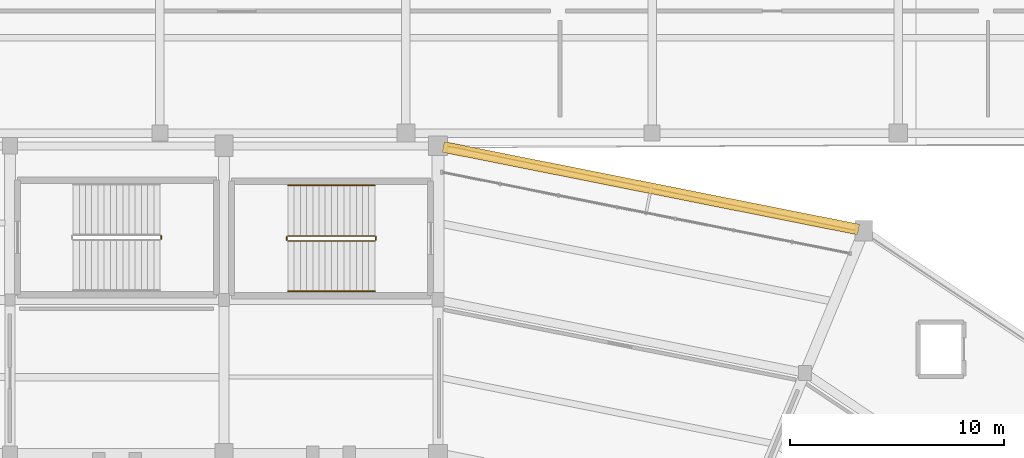
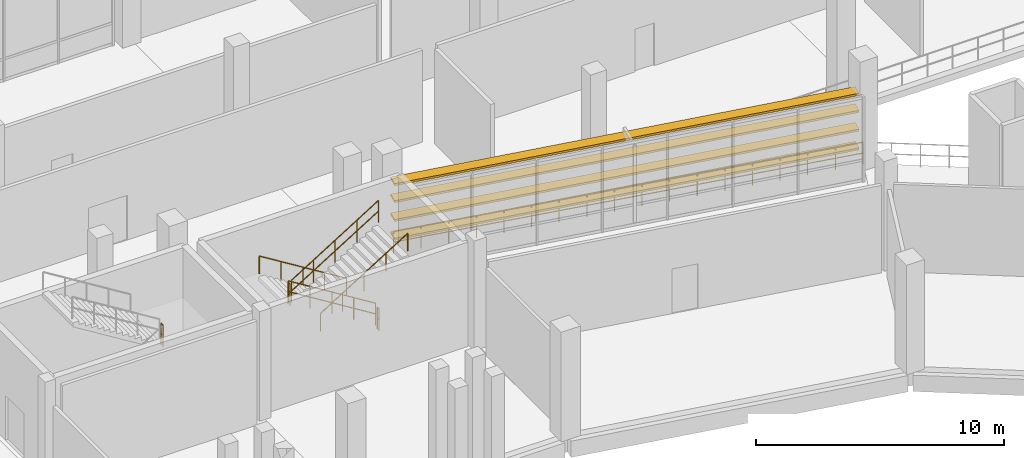
# One storey, part 113 of 114: 8 railings, 4 shading devices.
"""IFC4 building model written with IfcOpenShell, lengths in metres."""

from ifc_helpers import new_model, si_unit, direction, frame, origin, origin_2d, place, context, subcontext, project, spatial, rectangle, circle, extrude, material, layer, layer_set, type_object, element, save


model = new_model("IFC4")

# Units and contexts
model_context = context("Model", 3, precision=1e-05, world=origin(), true_north=direction((0.0, 1.0)))
body_context = subcontext(model_context, "Body", "Model", "MODEL_VIEW")
ifc_project = project(units=[si_unit("LENGTHUNIT", "METRE"), si_unit("AREAUNIT", "SQUARE_METRE"), si_unit("VOLUMEUNIT", "CUBIC_METRE"), si_unit("PLANEANGLEUNIT", "RADIAN"), si_unit("MASSUNIT", "GRAM", prefix="KILO")], contexts=[model_context])

# Site, building, storey
site_placement = place(None, origin())
site = spatial("IfcSite", under=ifc_project, at=site_placement, CompositionType="ELEMENT")
building_placement = place(site_placement, origin())
building = spatial("IfcBuilding", under=site, at=building_placement, Name="Candeia Ridge Stadium", CompositionType="ELEMENT")
storey_placement = place(building_placement, frame((0.0, 0.0, 5.39990234375)))
storey = spatial("IfcBuildingStorey", under=building, at=storey_placement, Name="L01", CompositionType="ELEMENT", Elevation=5.39990234375)

# Railings
ifc_material_1 = material(Name="Galvanized Powder-Coated Steel", Category="steel")
ifc_layer_1 = layer(ifc_material_1, 0.074951171875, Name="Galvanized Powder-Coated Steel", Category="steel")
ifc_layer_set_1 = layer_set([ifc_layer_1], Name="Galvanized Powder-Coated Steel")
railing_type_1 = type_object("IfcRailingType", Name="Spectator Bowl Front Guardrail 1120", PredefinedType="GUARDRAIL", material=ifc_layer_set_1)
railing_1_placement = place(storey_placement, frame((141.3232421875, 147.017333984375, 0.0)))
element("IfcRailing", 1, at=railing_1_placement, inside=storey, type_object=railing_type_1, Name="Deck edge safety guardrail GR-DE-L01-0031", PredefinedType="GUARDRAIL", context=body_context, shape_type="SweptSolid", body=[
    extrude(circle(Radius=0.02392578125, at=origin_2d()), frame((0.0, 0.0, 1.09619140625), z_axis=(0.97924861021, -0.202662673924, 0.0), x_axis=(0.202662673924, 0.97924861021, 0.0)), (0.0, 0.0, 1.0), 19.945556640625),
    extrude(circle(Radius=0.02392578125, at=origin_2d()), frame((0.0, 0.0, 0.56005859375), z_axis=(0.97924861021, -0.202662673924, 0.0), x_axis=(0.202662673924, 0.97924861021, 0.0)), (0.0, 0.0, 1.0), 19.945556640625),
    extrude(circle(Radius=0.02099609375, at=origin_2d()), origin(), (0.0, 0.0, 1.0), 1.072021484375),
    extrude(circle(Radius=0.02099609375, at=origin_2d()), frame((1.14892578125, -0.23779296875, 0.0)), (0.0, 0.0, 1.0), 1.072021484375),
    extrude(circle(Radius=0.02099609375, at=origin_2d()), frame((2.2978515625, -0.4755859375, 0.0)), (0.0, 0.0, 1.0), 1.072021484375),
    extrude(circle(Radius=0.02099609375, at=origin_2d()), frame((3.44677734375, -0.71337890625, 0.0)), (0.0, 0.0, 1.0), 1.072021484375),
    extrude(circle(Radius=0.02099609375, at=origin_2d()), frame((4.595703125, -0.951171875, 0.0)), (0.0, 0.0, 1.0), 1.072021484375),
    extrude(circle(Radius=0.02099609375, at=origin_2d()), frame((5.74462890625, -1.18896484375, 0.0)), (0.0, 0.0, 1.0), 1.072021484375),
    extrude(circle(Radius=0.02099609375, at=origin_2d()), frame((6.8935546875, -1.4267578125, 0.0)), (0.0, 0.0, 1.0), 1.072021484375),
    extrude(circle(Radius=0.02099609375, at=origin_2d()), frame((8.04248046875, -1.66455078125, 0.0)), (0.0, 0.0, 1.0), 1.072021484375),
    extrude(circle(Radius=0.02099609375, at=origin_2d()), frame((9.19140625, -1.90234375, 0.0)), (0.0, 0.0, 1.0), 1.072021484375),
    extrude(circle(Radius=0.02099609375, at=origin_2d()), frame((10.34033203125, -2.139892578125, 0.0)), (0.0, 0.0, 1.0), 1.072021484375),
    extrude(circle(Radius=0.02099609375, at=origin_2d()), frame((11.4892578125, -2.377685546875, 0.0)), (0.0, 0.0, 1.0), 1.072021484375),
    extrude(circle(Radius=0.02099609375, at=origin_2d()), frame((12.63818359375, -2.615478515625, 0.0)), (0.0, 0.0, 1.0), 1.072021484375),
    extrude(circle(Radius=0.02099609375, at=origin_2d()), frame((13.787109375, -2.853271484375, 0.0)), (0.0, 0.0, 1.0), 1.072021484375),
    extrude(circle(Radius=0.02099609375, at=origin_2d()), frame((14.93603515625, -3.091064453125, 0.0)), (0.0, 0.0, 1.0), 1.072021484375),
    extrude(circle(Radius=0.02099609375, at=origin_2d()), frame((16.0849609375, -3.328857421875, 0.0)), (0.0, 0.0, 1.0), 1.072021484375),
    extrude(circle(Radius=0.02099609375, at=origin_2d()), frame((17.23388671875, -3.566650390625, 0.0)), (0.0, 0.0, 1.0), 1.072021484375),
    extrude(circle(Radius=0.02099609375, at=origin_2d()), frame((18.3828125, -3.804443359375, 0.0)), (0.0, 0.0, 1.0), 1.072021484375),
    extrude(circle(Radius=0.02099609375, at=origin_2d()), frame((19.53173828125, -4.042236328125, 0.0)), (0.0, 0.0, 1.0), 1.072021484375),
])
ifc_material_2 = material(Name="Brushed Stainless Steel", Category="steel")
ifc_layer_2 = layer(ifc_material_2, 0.048095703125, Name="Brushed Stainless Steel", Category="steel")
ifc_layer_set_2 = layer_set([ifc_layer_2], Name="Brushed Stainless Steel")
railing_type_2 = type_object("IfcRailingType", Name="Stair Wall & Flight Handrail 900", PredefinedType="HANDRAIL", material=ifc_layer_set_2)
railing_2_placement = place(storey_placement, frame((138.050048828125, 145.14990234375, 0.18017578125)))
element("IfcRailing", 2, at=railing_2_placement, inside=storey, type_object=railing_type_2, Name="L01 ST04 stair handrail 1", PredefinedType="HANDRAIL", context=body_context, shape_type="SweptSolid", body=[
    extrude(circle(Radius=0.02392578125, at=origin_2d()), frame((0.0, 0.0, 0.8759765625), z_axis=(-0.849641744969, 0.0, 0.527360318194), x_axis=(0.0, -1.0, 0.0)), (0.0, 0.0, 1.0), 4.778564453125),
    extrude(circle(Radius=0.02099609375, at=origin_2d()), origin(), (0.0, 0.0, 1.0), 0.851806640625),
    extrude(circle(Radius=0.02099609375, at=origin_2d()), frame((-1.01513671875, 0.0, 0.6298828125)), (0.0, 0.0, 1.0), 0.851806640625),
    extrude(circle(Radius=0.02099609375, at=origin_2d()), frame((-2.030029296875, 0.0, 1.260009765625)), (0.0, 0.0, 1.0), 0.851806640625),
    extrude(circle(Radius=0.02099609375, at=origin_2d()), frame((-3.044921875, 0.0, 1.89013671875)), (0.0, 0.0, 1.0), 0.851806640625),
    extrude(circle(Radius=0.02099609375, at=origin_2d()), frame((-4.06005859375, 0.0, 2.52001953125)), (0.0, 0.0, 1.0), 0.851806640625),
])
railing_3_placement = place(storey_placement, frame((133.989990234375, 140.199951171875, 2.880126953125)))
element("IfcRailing", 3, at=railing_3_placement, inside=storey, type_object=railing_type_2, Name="L01 ST04 stair handrail 2", PredefinedType="HANDRAIL", context=body_context, shape_type="SweptSolid", body=[
    extrude(circle(Radius=0.02392578125, at=origin_2d()), frame((0.0, 0.0, 0.8759765625), z_axis=(0.849641744969, 0.0, 0.527360318194), x_axis=(0.0, 1.0, 0.0)), (0.0, 0.0, 1.0), 4.778564453125),
    extrude(circle(Radius=0.02099609375, at=origin_2d()), origin(), (0.0, 0.0, 1.0), 0.851806640625),
    extrude(circle(Radius=0.02099609375, at=origin_2d()), frame((1.01513671875, 0.0, 0.6298828125)), (0.0, 0.0, 1.0), 0.851806640625),
    extrude(circle(Radius=0.02099609375, at=origin_2d()), frame((2.030029296875, 0.0, 1.260009765625)), (0.0, 0.0, 1.0), 0.851806640625),
    extrude(circle(Radius=0.02099609375, at=origin_2d()), frame((3.044921875, 0.0, 1.89013671875)), (0.0, 0.0, 1.0), 0.851806640625),
    extrude(circle(Radius=0.02099609375, at=origin_2d()), frame((4.06005859375, 0.0, 2.52001953125)), (0.0, 0.0, 1.0), 0.851806640625),
])
ifc_layer_3 = layer(ifc_material_1, 0.06005859375, Name="Galvanized Powder-Coated Steel", Category="steel")
ifc_layer_set_3 = layer_set([ifc_layer_3], Name="Galvanized Powder-Coated Steel")
railing_type_3 = type_object("IfcRailingType", Name="Stair Well Guardrail 1100", PredefinedType="GUARDRAIL", material=ifc_layer_set_3)
railing_4_placement = place(storey_placement, frame((138.050048828125, 142.800048828125, 0.18017578125)))
element("IfcRailing", 4, at=railing_4_placement, inside=storey, type_object=railing_type_3, Name="L01 ST04 stair guard 1", PredefinedType="GUARDRAIL", context=body_context, shape_type="SweptSolid", body=[
    extrude(circle(Radius=0.02392578125, at=origin_2d()), frame((0.0, 0.0, 1.076171875), z_axis=(-0.849641744969, 0.0, 0.527360318194), x_axis=(0.0, -1.0, 0.0)), (0.0, 0.0, 1.0), 4.778564453125),
    extrude(circle(Radius=0.02392578125, at=origin_2d()), frame((0.0, 0.0, 0.550048828125), z_axis=(-0.849641744969, 0.0, 0.527360318194), x_axis=(0.0, -1.0, 0.0)), (0.0, 0.0, 1.0), 4.778564453125),
    extrude(circle(Radius=0.02099609375, at=origin_2d()), origin(), (0.0, 0.0, 1.0), 1.052001953125),
    extrude(circle(Radius=0.02099609375, at=origin_2d()), frame((-1.01513671875, 0.0, 0.6298828125)), (0.0, 0.0, 1.0), 1.052001953125),
    extrude(circle(Radius=0.02099609375, at=origin_2d()), frame((-2.030029296875, 0.0, 1.260009765625)), (0.0, 0.0, 1.0), 1.052001953125),
    extrude(circle(Radius=0.02099609375, at=origin_2d()), frame((-3.044921875, 0.0, 1.89013671875)), (0.0, 0.0, 1.0), 1.052001953125),
    extrude(circle(Radius=0.02099609375, at=origin_2d()), frame((-4.06005859375, 0.0, 2.52001953125)), (0.0, 0.0, 1.0), 1.052001953125),
])
railing_5_placement = place(storey_placement, frame((133.93994140625, 142.75, 2.7001953125)))
element("IfcRailing", 5, at=railing_5_placement, inside=storey, type_object=railing_type_3, Name="L01 ST04 stair guard 2", PredefinedType="GUARDRAIL", context=body_context, shape_type="SweptSolid", body=[
    extrude(circle(Radius=0.02392578125, at=origin_2d()), frame((0.0, 0.0, 1.076171875), z_axis=(0.0, -1.0, 0.0), x_axis=(1.0, 0.0, 0.0)), (0.0, 0.0, 1.0), 0.14990234375),
    extrude(circle(Radius=0.02392578125, at=origin_2d()), frame((0.0, 0.0, 0.550048828125), z_axis=(0.0, -1.0, 0.0), x_axis=(1.0, 0.0, 0.0)), (0.0, 0.0, 1.0), 0.14990234375),
    extrude(circle(Radius=0.02099609375, at=origin_2d()), origin(), (0.0, 0.0, 1.0), 1.052001953125),
    extrude(circle(Radius=0.02099609375, at=origin_2d()), frame((0.0, -0.14990234375, 0.0)), (0.0, 0.0, 1.0), 1.052001953125),
])
railing_6_placement = place(storey_placement, frame((133.989990234375, 142.550048828125, 2.880126953125)))
element("IfcRailing", 6, at=railing_6_placement, inside=storey, type_object=railing_type_3, Name="L01 ST04 stair guard 3", PredefinedType="GUARDRAIL", context=body_context, shape_type="SweptSolid", body=[
    extrude(circle(Radius=0.02392578125, at=origin_2d()), frame((0.0, 0.0, 1.076171875), z_axis=(0.849641744969, 0.0, 0.527360318194), x_axis=(0.0, 1.0, 0.0)), (0.0, 0.0, 1.0), 4.778564453125),
    extrude(circle(Radius=0.02392578125, at=origin_2d()), frame((0.0, 0.0, 0.550048828125), z_axis=(0.849641744969, 0.0, 0.527360318194), x_axis=(0.0, 1.0, 0.0)), (0.0, 0.0, 1.0), 4.778564453125),
    extrude(circle(Radius=0.02099609375, at=origin_2d()), origin(), (0.0, 0.0, 1.0), 1.052001953125),
    extrude(circle(Radius=0.02099609375, at=origin_2d()), frame((1.01513671875, 0.0, 0.6298828125)), (0.0, 0.0, 1.0), 1.052001953125),
    extrude(circle(Radius=0.02099609375, at=origin_2d()), frame((2.030029296875, 0.0, 1.260009765625)), (0.0, 0.0, 1.0), 1.052001953125),
    extrude(circle(Radius=0.02099609375, at=origin_2d()), frame((3.044921875, 0.0, 1.89013671875)), (0.0, 0.0, 1.0), 1.052001953125),
    extrude(circle(Radius=0.02099609375, at=origin_2d()), frame((4.06005859375, 0.0, 2.52001953125)), (0.0, 0.0, 1.0), 1.052001953125),
])
railing_7_placement = place(storey_placement, frame((138.10009765625, 142.75, 0.0)))
element("IfcRailing", 7, at=railing_7_placement, inside=storey, type_object=railing_type_3, Name="L01 ST04 stair guard 4", PredefinedType="GUARDRAIL", context=body_context, shape_type="SweptSolid", body=[
    extrude(circle(Radius=0.02392578125, at=origin_2d()), frame((0.0, 0.0, 1.076171875), z_axis=(0.0, -1.0, 0.0), x_axis=(1.0, 0.0, 0.0)), (0.0, 0.0, 1.0), 0.14990234375),
    extrude(circle(Radius=0.02392578125, at=origin_2d()), frame((0.0, 0.0, 0.550048828125), z_axis=(0.0, -1.0, 0.0), x_axis=(1.0, 0.0, 0.0)), (0.0, 0.0, 1.0), 0.14990234375),
    extrude(circle(Radius=0.02099609375, at=origin_2d()), origin(), (0.0, 0.0, 1.0), 1.052001953125),
    extrude(circle(Radius=0.02099609375, at=origin_2d()), frame((0.0, -0.14990234375, 0.0)), (0.0, 0.0, 1.0), 1.052001953125),
])
railing_8_placement = place(storey_placement, frame((128.06005859375, 142.64990234375, 2.7001953125)))
element("IfcRailing", 8, at=railing_8_placement, inside=storey, type_object=railing_type_3, Name="L01 ST10 stair guard 2", PredefinedType="GUARDRAIL", context=body_context, shape_type="SweptSolid", body=[
    extrude(circle(Radius=0.02392578125, at=origin_2d()), frame((0.0, 0.0, 1.076171875), z_axis=(0.0, 1.0, 0.0), x_axis=(-1.0, 0.0, 0.0)), (0.0, 0.0, 1.0), 0.150146484375),
    extrude(circle(Radius=0.02392578125, at=origin_2d()), frame((0.0, 0.0, 0.550048828125), z_axis=(0.0, 1.0, 0.0), x_axis=(-1.0, 0.0, 0.0)), (0.0, 0.0, 1.0), 0.150146484375),
    extrude(circle(Radius=0.02099609375, at=origin_2d()), origin(), (0.0, 0.0, 1.0), 1.052001953125),
    extrude(circle(Radius=0.02099609375, at=origin_2d()), frame((0.0, 0.150146484375, 0.0)), (0.0, 0.0, 1.0), 1.052001953125),
])

# Shading devices
ifc_material_3 = material(Name="Aluminium Anodized Warm Bronze", Category="aluminium")
shading_device_type = type_object("IfcShadingDeviceType", Name="Weathered Bronze Horizontal Solar Rib 500x105", PredefinedType="JALOUSIE", material=ifc_material_3)
for number, where, z_axis, x_axis, name in (
    (9, (150.94970703125, 145.020751953125, 0.872802734375), (0.0, 0.0, 1.0), (-0.980785282416, 0.195090311899, 0.0), "Weathered bronze horizontal solar rib L01 bay 36-1"),
    (10, (150.94970703125, 145.020751953125, 1.7978515625), (0.0, 0.0, 1.0), (-0.980785282416, 0.195090311899, 0.0), "Weathered bronze horizontal solar rib L01 bay 36-2"),
    (11, (150.94970703125, 145.020751953125, 2.722900390625), (0.0, 0.0, 1.0), (-0.980785282416, 0.195090311899, 0.0), "Weathered bronze horizontal solar rib L01 bay 36-3"),
    (12, (150.94970703125, 145.020751953125, 3.56396484375), (0.0, 0.0, 1.0), (-0.980785282416, 0.195090311899, 0.0), "Weathered bronze horizontal solar rib L01 bay 36-4"),
):
    element("IfcShadingDevice", number, at=place(storey_placement, frame(where, z_axis=z_axis, x_axis=x_axis)), inside=storey, type_object=shading_device_type, Name=name, PredefinedType="JALOUSIE", context=body_context, shape_type="SweptSolid", body=[
        extrude(rectangle(XDim=19.789306640625, YDim=0.5, at=origin_2d()), origin(), (0.0, 0.0, 1.0), 0.10498046875),
    ])

save(model, "model.ifc")
